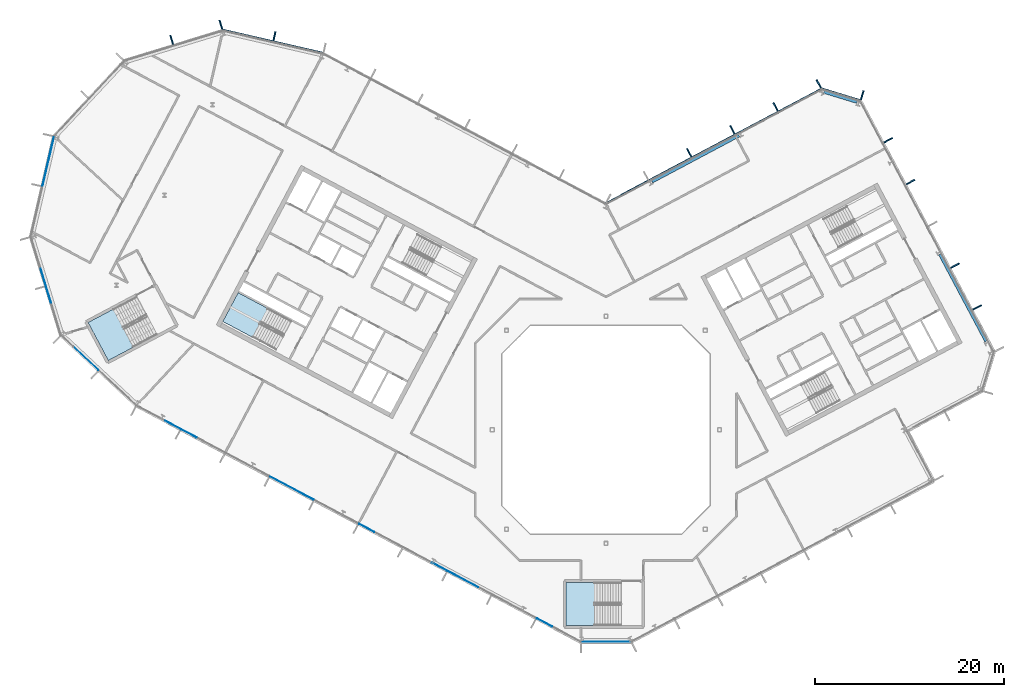
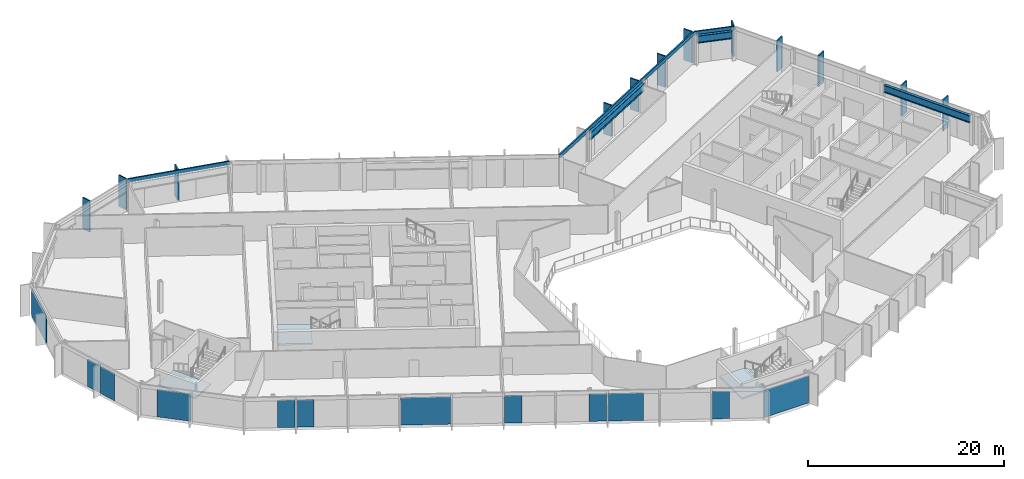
# One storey, part 10 of 26: 15 members, 12 plates, 3 beams, 3 slabs, 13 elements without a shape of their own.
"""IFC4 building model written with IfcOpenShell, lengths in metres."""

from ifc_helpers import new_model, si_unit, direction, frame, origin, origin_2d, place, context, subcontext, project, spatial, polyline, rectangle, i_section, outline, extrude, material, layer, layer_set, material_profile, profile_set, type_object, element, aggregate, save


model = new_model("IFC4")

# Units and contexts
model_context = context("Model", 3, precision=1e-05, world=origin(), true_north=direction((0.0, 1.0)))
body_context = subcontext(model_context, "Body", "Model", "MODEL_VIEW")
ifc_project = project(units=[si_unit("LENGTHUNIT", "METRE"), si_unit("AREAUNIT", "SQUARE_METRE"), si_unit("VOLUMEUNIT", "CUBIC_METRE"), si_unit("PLANEANGLEUNIT", "RADIAN"), si_unit("MASSUNIT", "GRAM", prefix="KILO")], contexts=[model_context])

# Site, building, storey
site_placement = place(None, origin())
site = spatial("IfcSite", under=ifc_project, at=site_placement, CompositionType="ELEMENT")
building_placement = place(site_placement, origin())
building = spatial("IfcBuilding", under=site, at=building_placement, Name="Cormorant Relay Tower", CompositionType="ELEMENT")
storey_placement = place(building_placement, frame((0.0, 0.0, 300.89990234375)))
storey = spatial("IfcBuildingStorey", under=building, at=storey_placement, Name="L68", CompositionType="ELEMENT", Elevation=300.89990234375)

# Curtain wall, members
ifc_material_1 = material(Name="Aluminium 6063-T6 anodised bronze", Category="aluminium")
ifc_layer_1 = layer(ifc_material_1, 0.199951171875)
ifc_layer_set_1 = layer_set([ifc_layer_1], Name="CW1 unitised bronze curtain wall with vertical fins")
curtain_wall_type = type_object("IfcCurtainWallType", Name="CW1 unitised bronze curtain wall with vertical fins", PredefinedType="NOTDEFINED", material=ifc_layer_set_1)
curtain_wall_1_placement = place(storey_placement, origin())
curtain_wall_1 = element("IfcCurtainWall", 1, at=curtain_wall_1_placement, inside=storey, type_object=curtain_wall_type, Name="CW1 curtain wall 6", PredefinedType="NOTDEFINED")
ifc_material_2 = material(Name="Aluminium 6063-T6 anodised bronze", Category="aluminium")
ifc_material_profile_1 = material_profile(ifc_material_2, rectangle(XDim=0.14990234375, YDim=1.0, at=origin_2d()), Name="AL 150x1000")
ifc_profile_set_1 = profile_set([ifc_material_profile_1], Name="Aluminium 6063-T6 anodised bronze")
member_type_1 = type_object("IfcMemberType", Name="CW1 bronze fin mullion 150 x 1000", PredefinedType="MULLION", material=ifc_profile_set_1)
member_1_placement = place(storey_placement, frame((39.222412109375, 12.927001953125, 0.0), z_axis=(0.0, 0.0, 1.0), x_axis=(-0.469471562786, 0.882947592859, 0.0)))
member_1 = element("IfcMember", 2, at=member_1_placement, type_object=member_type_1, Name="CW1 fin 6.2", PredefinedType="MULLION", context=body_context, shape_type="SweptSolid", body=[
    extrude(rectangle(XDim=0.14990234375, YDim=1.0, at=origin_2d()), origin(), (0.0, 0.0, 1.0), 3.900146484375),
])
member_2_placement = place(storey_placement, frame((36.875, 17.341552734375, 0.0), z_axis=(0.0, 0.0, 1.0), x_axis=(-0.469471562786, 0.882947592859, 0.0)))
member_2 = element("IfcMember", 3, at=member_2_placement, type_object=member_type_1, Name="CW1 fin 6.3", PredefinedType="MULLION", context=body_context, shape_type="SweptSolid", body=[
    extrude(rectangle(XDim=0.14990234375, YDim=1.0, at=origin_2d()), origin(), (0.0, 0.0, 1.0), 3.900146484375),
])
member_3_placement = place(storey_placement, frame((32.18017578125, 26.171142578125, 0.0), z_axis=(0.0, 0.0, 1.0), x_axis=(-0.469471562786, 0.882947592859, 0.0)))
member_3 = element("IfcMember", 4, at=member_3_placement, type_object=member_type_1, Name="CW1 fin 6.5", PredefinedType="MULLION", context=body_context, shape_type="SweptSolid", body=[
    extrude(rectangle(XDim=0.14990234375, YDim=1.0, at=origin_2d()), origin(), (0.0, 0.0, 1.0), 3.900146484375),
])
member_4_placement = place(storey_placement, frame((29.832763671875, 30.585693359375, 0.0), z_axis=(0.0, 0.0, 1.0), x_axis=(-0.469471562786, 0.882947592859, 0.0)))
member_4 = element("IfcMember", 5, at=member_4_placement, type_object=member_type_1, Name="CW1 fin 6.6", PredefinedType="MULLION", context=body_context, shape_type="SweptSolid", body=[
    extrude(rectangle(XDim=0.14990234375, YDim=1.0, at=origin_2d()), origin(), (0.0, 0.0, 1.0), 3.900146484375),
])
aggregate(curtain_wall_1, [member_1, member_2, member_3, member_4])

# Curtain wall, member
curtain_wall_2_placement = place(storey_placement, origin())
curtain_wall_2 = element("IfcCurtainWall", 6, at=curtain_wall_2_placement, inside=storey, type_object=curtain_wall_type, Name="CW1 curtain wall 7", PredefinedType="NOTDEFINED")
member_5_placement = place(storey_placement, frame((27.072021484375, 35.34130859375, 0.0), z_axis=(0.0, 0.0, 1.0), x_axis=(-0.956304755963, 0.292371704723, 0.0)))
member_5 = element("IfcMember", 7, at=member_5_placement, type_object=member_type_1, Name="CW1 fin 7.1", PredefinedType="MULLION", context=body_context, shape_type="SweptSolid", body=[
    extrude(rectangle(XDim=0.14990234375, YDim=1.0, at=origin_2d()), origin(), (0.0, 0.0, 1.0), 3.900146484375),
])

# Curtain wall, members
curtain_wall_3_placement = place(storey_placement, origin())
curtain_wall_3 = element("IfcCurtainWall", 8, at=curtain_wall_3_placement, inside=storey, type_object=curtain_wall_type, Name="CW1 curtain wall 8", PredefinedType="NOTDEFINED")
member_6_placement = place(storey_placement, frame((22.4814453125, 36.530517578125, 0.0), z_axis=(0.0, 0.0, 1.0), x_axis=(-0.882947592859, -0.469471562786, 0.0)))
member_6 = element("IfcMember", 9, at=member_6_placement, type_object=member_type_1, Name="CW1 fin 8.1", PredefinedType="MULLION", context=body_context, shape_type="SweptSolid", body=[
    extrude(rectangle(XDim=0.14990234375, YDim=1.0, at=origin_2d()), origin(), (0.0, 0.0, 1.0), 3.900146484375),
])
member_7_placement = place(storey_placement, frame((17.91943359375, 34.104736328125, 0.0), z_axis=(0.0, 0.0, 1.0), x_axis=(-0.882947592859, -0.469471562786, 0.0)))
member_7 = element("IfcMember", 10, at=member_7_placement, type_object=member_type_1, Name="CW1 fin 8.2", PredefinedType="MULLION", context=body_context, shape_type="SweptSolid", body=[
    extrude(rectangle(XDim=0.14990234375, YDim=1.0, at=origin_2d()), origin(), (0.0, 0.0, 1.0), 3.900146484375),
])
member_8_placement = place(storey_placement, frame((13.357421875, 31.67919921875, 0.0), z_axis=(0.0, 0.0, 1.0), x_axis=(-0.882947592859, -0.469471562786, 0.0)))
member_8 = element("IfcMember", 11, at=member_8_placement, type_object=member_type_1, Name="CW1 fin 8.3", PredefinedType="MULLION", context=body_context, shape_type="SweptSolid", body=[
    extrude(rectangle(XDim=0.14990234375, YDim=1.0, at=origin_2d()), origin(), (0.0, 0.0, 1.0), 3.900146484375),
])
member_9_placement = place(storey_placement, frame((8.79541015625, 29.25341796875, 0.0), z_axis=(0.0, 0.0, 1.0), x_axis=(-0.882947592859, -0.469471562786, 0.0)))
member_9 = element("IfcMember", 12, at=member_9_placement, type_object=member_type_1, Name="CW1 fin 8.4", PredefinedType="MULLION", context=body_context, shape_type="SweptSolid", body=[
    extrude(rectangle(XDim=0.14990234375, YDim=1.0, at=origin_2d()), origin(), (0.0, 0.0, 1.0), 3.900146484375),
])

# Curtain wall, member
curtain_wall_4_placement = place(storey_placement, origin())
curtain_wall_4 = element("IfcCurtainWall", 13, at=curtain_wall_4_placement, inside=storey, type_object=curtain_wall_type, Name="CW1 curtain wall 10", PredefinedType="NOTDEFINED")
member_10_placement = place(storey_placement, frame((-35.01220703125, 41.57275390625, 0.0), z_axis=(0.0, 0.0, 1.0), x_axis=(-0.974370064785, 0.224951054344, 0.0)))
member_10 = element("IfcMember", 14, at=member_10_placement, type_object=member_type_1, Name="CW1 fin 10.2", PredefinedType="MULLION", context=body_context, shape_type="SweptSolid", body=[
    extrude(rectangle(XDim=0.14990234375, YDim=1.0, at=origin_2d()), origin(), (0.0, 0.0, 1.0), 3.900146484375),
])

# Curtain wall, members
curtain_wall_5_placement = place(storey_placement, origin())
curtain_wall_5 = element("IfcCurtainWall", 15, at=curtain_wall_5_placement, inside=storey, type_object=curtain_wall_type, Name="CW1 curtain wall 11", PredefinedType="NOTDEFINED")
member_11_placement = place(storey_placement, frame((-40.670166015625, 42.78271484375, 0.0), z_axis=(0.0, 0.0, 1.0), x_axis=(-0.956304755963, -0.292371704723, 0.0)))
member_11 = element("IfcMember", 16, at=member_11_placement, type_object=member_type_1, Name="CW1 fin 11.1", PredefinedType="MULLION", context=body_context, shape_type="SweptSolid", body=[
    extrude(rectangle(XDim=0.14990234375, YDim=1.0, at=origin_2d()), origin(), (0.0, 0.0, 1.0), 3.900146484375),
])
member_12_placement = place(storey_placement, frame((-45.867919921875, 41.193603515625, 0.0), z_axis=(0.0, 0.0, 1.0), x_axis=(-0.956304755963, -0.292371704723, 0.0)))
member_12 = element("IfcMember", 17, at=member_12_placement, type_object=member_type_1, Name="CW1 fin 11.2", PredefinedType="MULLION", context=body_context, shape_type="SweptSolid", body=[
    extrude(rectangle(XDim=0.14990234375, YDim=1.0, at=origin_2d()), origin(), (0.0, 0.0, 1.0), 3.900146484375),
])
aggregate(curtain_wall_5, [member_11, member_12])

# Member
ifc_material_3 = material(Name="Aluminium 6063-T6 anodised bronze", Category="aluminium")
ifc_material_profile_2 = material_profile(ifc_material_3, rectangle(XDim=0.159912109375, YDim=0.449951171875, at=origin_2d()), Name="AL 160x450")
ifc_profile_set_2 = profile_set([ifc_material_profile_2], Name="Aluminium 6063-T6 anodised bronze")
member_type_2 = type_object("IfcMemberType", Name="CW1 bronze transom 160 x 450", PredefinedType="USERDEFINED", material=ifc_profile_set_2)
member_13_placement = place(storey_placement, frame((26.902587890625, 34.78662109375, 3.675048828125), z_axis=(-0.956303761594, 0.292374957137, 0.0), x_axis=(-0.292374957137, -0.956303761594, 0.0)))
member_13 = element("IfcMember", 18, at=member_13_placement, type_object=member_type_2, Name="CW1 transom 7", ObjectType="TRANSOM", PredefinedType="USERDEFINED", context=body_context, shape_type="SweptSolid", body=[
    extrude(rectangle(XDim=0.159912109375, YDim=0.449951171875, at=origin_2d()), origin(), (0.0, 0.0, 1.0), 4.24267578125),
])

aggregate(curtain_wall_2, [member_5, member_13])

member_14_placement = place(storey_placement, frame((22.75390625, 36.018310546875, 3.675048828125), z_axis=(-0.882948156597, -0.469470502547, 0.0), x_axis=(0.469470502547, -0.882948156597, 0.0)))
member_14 = element("IfcMember", 19, at=member_14_placement, type_object=member_type_2, Name="CW1 transom 8", ObjectType="TRANSOM", PredefinedType="USERDEFINED", context=body_context, shape_type="SweptSolid", body=[
    extrude(rectangle(XDim=0.159912109375, YDim=0.449951171875, at=origin_2d()), origin(), (0.0, 0.0, 1.0), 25.834228515625),
])

aggregate(curtain_wall_3, [member_6, member_7, member_8, member_9, member_14])

member_15_placement = place(storey_placement, frame((-29.8466796875, 39.784912109375, 3.675048828125), z_axis=(-0.974365070969, 0.224972683844, 0.0), x_axis=(-0.224972683844, -0.974365070969, 0.0)))
member_15 = element("IfcMember", 20, at=member_15_placement, type_object=member_type_2, Name="CW1 transom 10", ObjectType="TRANSOM", PredefinedType="USERDEFINED", context=body_context, shape_type="SweptSolid", body=[
    extrude(rectangle(XDim=0.159912109375, YDim=0.449951171875, at=origin_2d()), origin(), (0.0, 0.0, 1.0), 10.870361328125),
])

aggregate(curtain_wall_4, [member_10, member_15])

# Beams
ifc_material_4 = material(Name="Steel ASTM A992 (Fy 345 MPa)", Category="steel")
ifc_material_profile_3 = material_profile(ifc_material_4, i_section(OverallWidth=0.307373046875, OverallDepth=0.927001953125, WebThickness=0.019287109375, FlangeThickness=0.031982421875, FilletRadius=0.01904296875, at=origin_2d()), Name="W920x289")
ifc_profile_set_3 = profile_set([ifc_material_profile_3], Name="Steel ASTM A992 (Fy 345 MPa)")
beam_type = type_object("IfcBeamType", Name="Spandrel W920x289", PredefinedType="SPANDREL", material=ifc_profile_set_3)
beam_1_placement = place(storey_placement, frame((40.1591796875, 9.3466796875, 3.076416015625), z_axis=(-0.469474391681, 0.882946088703, 0.0), x_axis=(-0.882946088703, -0.469474391681, 0.0)))
element("IfcBeam", 21, at=beam_1_placement, inside=storey, type_object=beam_type, Name="Spandrel beam L68-006", PredefinedType="SPANDREL", context=body_context, shape_type="SweptSolid", body=[
    extrude(i_section(OverallWidth=0.307373046875, OverallDepth=0.927001953125, WebThickness=0.019287109375, FlangeThickness=0.031982421875, FilletRadius=0.01904296875, at=origin_2d()), origin(), (0.0, 0.0, 1.0), 10.401611328125),
])
beam_2_placement = place(storey_placement, frame((26.512451171875, 34.619873046875, 3.076416015625), z_axis=(-0.956313678807, 0.292342517821, 0.0), x_axis=(-0.292342517821, -0.956313678807, 0.0)))
element("IfcBeam", 22, at=beam_2_placement, inside=storey, type_object=beam_type, Name="Spandrel beam L68-007", PredefinedType="SPANDREL", context=body_context, shape_type="SweptSolid", body=[
    extrude(i_section(OverallWidth=0.307373046875, OverallDepth=0.927001953125, WebThickness=0.019287109375, FlangeThickness=0.031982421875, FilletRadius=0.01904296875, at=origin_2d()), origin(), (0.0, 0.0, 1.0), 3.65185546875),
])
beam_3_placement = place(storey_placement, frame((14.05322265625, 31.082275390625, 3.076416015625), z_axis=(-0.882950644937, -0.469465822617, 0.0), x_axis=(0.469465822617, -0.882950644937, 0.0)))
element("IfcBeam", 23, at=beam_3_placement, inside=storey, type_object=beam_type, Name="Spandrel beam L68-008", PredefinedType="SPANDREL", context=body_context, shape_type="SweptSolid", body=[
    extrude(i_section(OverallWidth=0.307373046875, OverallDepth=0.927001953125, WebThickness=0.019287109375, FlangeThickness=0.031982421875, FilletRadius=0.01904296875, at=origin_2d()), origin(), (0.0, 0.0, 1.0), 10.4013671875),
])

# Curtain wall, plates
curtain_wall_6_placement = place(storey_placement, origin())
curtain_wall_6 = element("IfcCurtainWall", 24, at=curtain_wall_6_placement, inside=storey, type_object=curtain_wall_type, Name="CW1 curtain wall 14", PredefinedType="NOTDEFINED")
ifc_material_5 = material(Name="Tinted laminated glass", Category="glass")
ifc_layer_2 = layer(ifc_material_5, 0.0400390625)
ifc_layer_set_2 = layer_set([ifc_layer_2], Name="CW1 tinted vision panel 1800 module")
plate_type_1 = type_object("IfcPlateType", Name="CW1 tinted vision panel 1800 module", PredefinedType="CURTAIN_PANEL", material=ifc_layer_set_2)
plate_1_placement = place(storey_placement, frame((-59.434814453125, 16.122314453125, 0.0), z_axis=(0.0, 0.0, 1.0), x_axis=(0.292371704723, -0.956304755963, 0.0)))
plate_1 = element("IfcPlate", 25, at=plate_1_placement, type_object=plate_type_1, Name="CW1 panel V01", PredefinedType="CURTAIN_PANEL", context=body_context, shape_type="SweptSolid", body=[
    extrude(rectangle(XDim=1.800048828125, YDim=0.0400390625, at=origin_2d()), origin(), (0.0, 0.0, 1.0), 3.449951171875),
])
plate_2_placement = place(storey_placement, frame((-58.86474609375, 14.25732421875, 0.0), z_axis=(0.0, 0.0, 1.0), x_axis=(0.292371704723, -0.956304755963, 0.0)))
plate_2 = element("IfcPlate", 26, at=plate_2_placement, type_object=plate_type_1, Name="CW1 panel V02", PredefinedType="CURTAIN_PANEL", context=body_context, shape_type="SweptSolid", body=[
    extrude(rectangle(XDim=1.800048828125, YDim=0.0400390625, at=origin_2d()), origin(), (0.0, 0.0, 1.0), 3.449951171875),
])
aggregate(curtain_wall_6, [plate_1, plate_2])

curtain_wall_7_placement = place(storey_placement, origin())
curtain_wall_7 = element("IfcCurtainWall", 27, at=curtain_wall_7_placement, inside=storey, type_object=curtain_wall_type, Name="CW1 curtain wall 16", PredefinedType="NOTDEFINED")
plate_3_placement = place(storey_placement, frame((-45.767578125, 0.5283203125, 0.0), z_axis=(0.0, 0.0, 1.0), x_axis=(0.882947592859, -0.469471562786, 0.0)))
plate_3 = element("IfcPlate", 28, at=plate_3_placement, type_object=plate_type_1, Name="CW1 panel V01", PredefinedType="CURTAIN_PANEL", context=body_context, shape_type="SweptSolid", body=[
    extrude(rectangle(XDim=1.800048828125, YDim=0.0400390625, at=origin_2d()), origin(), (0.0, 0.0, 1.0), 3.449951171875),
])
plate_4_placement = place(storey_placement, frame((-44.0458984375, -0.38720703125, 0.0), z_axis=(0.0, 0.0, 1.0), x_axis=(0.882947592859, -0.469471562786, 0.0)))
plate_4 = element("IfcPlate", 29, at=plate_4_placement, type_object=plate_type_1, Name="CW1 panel V02", PredefinedType="CURTAIN_PANEL", context=body_context, shape_type="SweptSolid", body=[
    extrude(rectangle(XDim=1.800048828125, YDim=0.0400390625, at=origin_2d()), origin(), (0.0, 0.0, 1.0), 3.449951171875),
])
plate_5_placement = place(storey_placement, frame((-25.268798828125, -10.37109375, 0.0), z_axis=(0.0, 0.0, 1.0), x_axis=(0.882947592859, -0.469471562786, 0.0)))
plate_5 = element("IfcPlate", 30, at=plate_5_placement, type_object=plate_type_1, Name="CW1 panel V06", PredefinedType="CURTAIN_PANEL", context=body_context, shape_type="SweptSolid", body=[
    extrude(rectangle(XDim=1.800048828125, YDim=0.0400390625, at=origin_2d()), origin(), (0.0, 0.0, 1.0), 3.449951171875),
])
plate_6_placement = place(storey_placement, frame((-17.601806640625, -14.447509765625, 0.0), z_axis=(0.0, 0.0, 1.0), x_axis=(0.882947592859, -0.469471562786, 0.0)))
plate_6 = element("IfcPlate", 31, at=plate_6_placement, type_object=plate_type_1, Name="CW1 panel V08", PredefinedType="CURTAIN_PANEL", context=body_context, shape_type="SweptSolid", body=[
    extrude(rectangle(XDim=1.800048828125, YDim=0.0400390625, at=origin_2d()), origin(), (0.0, 0.0, 1.0), 3.449951171875),
])
plate_7_placement = place(storey_placement, frame((-6.49169921875, -20.35498046875, 0.0), z_axis=(0.0, 0.0, 1.0), x_axis=(0.882947592859, -0.469471562786, 0.0)))
plate_7 = element("IfcPlate", 32, at=plate_7_placement, type_object=plate_type_1, Name="CW1 panel V11", PredefinedType="CURTAIN_PANEL", context=body_context, shape_type="SweptSolid", body=[
    extrude(rectangle(XDim=1.800048828125, YDim=0.0400390625, at=origin_2d()), origin(), (0.0, 0.0, 1.0), 3.449951171875),
])

# Curtain wall, plate
curtain_wall_8_placement = place(storey_placement, origin())
curtain_wall_8 = element("IfcCurtainWall", 33, at=curtain_wall_8_placement, inside=storey, type_object=curtain_wall_type, Name="CW1 curtain wall 15", PredefinedType="NOTDEFINED")
ifc_material_6 = material(Name="Tinted laminated glass", Category="glass")
ifc_layer_3 = layer(ifc_material_6, 0.0400390625)
ifc_layer_set_3 = layer_set([ifc_layer_3], Name="CW1 tinted vision panel 3600 module")
plate_type_2 = type_object("IfcPlateType", Name="CW1 tinted vision panel 3600 module", PredefinedType="CURTAIN_PANEL", material=ifc_layer_set_3)
plate_8_placement = place(storey_placement, frame((-54.951416015625, 7.55517578125, 0.0), z_axis=(0.0, 0.0, 1.0), x_axis=(0.731353701619, -0.681998360062, 0.0)))
plate_8 = element("IfcPlate", 34, at=plate_8_placement, type_object=plate_type_2, Name="CW1 panel V01", PredefinedType="CURTAIN_PANEL", context=body_context, shape_type="SweptSolid", body=[
    extrude(rectangle(XDim=3.60009765625, YDim=0.0400390625, at=origin_2d()), origin(), (0.0, 0.0, 1.0), 3.449951171875),
])
aggregate(curtain_wall_8, [plate_8])

# Plate
plate_9_placement = place(storey_placement, frame((-15.08544921875, -15.785400390625, 0.0), z_axis=(0.0, 0.0, 1.0), x_axis=(0.882947592859, -0.469471562786, 0.0)))
plate_9 = element("IfcPlate", 35, at=plate_9_placement, type_object=plate_type_2, Name="CW1 panel V09", PredefinedType="CURTAIN_PANEL", context=body_context, shape_type="SweptSolid", body=[
    extrude(rectangle(XDim=3.60009765625, YDim=0.0400390625, at=origin_2d()), origin(), (0.0, 0.0, 1.0), 3.449951171875),
])

# Curtain wall, plate
curtain_wall_9_placement = place(storey_placement, origin())
curtain_wall_9 = element("IfcCurtainWall", 36, at=curtain_wall_9_placement, inside=storey, type_object=curtain_wall_type, Name="CW1 curtain wall 1", PredefinedType="NOTDEFINED")
ifc_material_7 = material(Name="Tinted laminated glass", Category="glass")
ifc_layer_4 = layer(ifc_material_7, 0.0400390625)
ifc_layer_set_4 = layer_set([ifc_layer_4], Name="CW1 tinted vision panel 5400 module")
plate_type_3 = type_object("IfcPlateType", Name="CW1 tinted vision panel 5400 module", PredefinedType="CURTAIN_PANEL", material=ifc_layer_set_4)
plate_10_placement = place(storey_placement, frame((0.03759765625, -22.3955078125, 0.0), z_axis=(0.0, 0.0, 1.0), x_axis=(1.0, 0.0, 0.0)))
plate_10 = element("IfcPlate", 37, at=plate_10_placement, type_object=plate_type_3, Name="CW1 panel V00", PredefinedType="CURTAIN_PANEL", context=body_context, shape_type="SweptSolid", body=[
    extrude(rectangle(XDim=5.22265625, YDim=0.0400390625, at=origin_2d()), origin(), (0.0, 0.0, 1.0), 3.449951171875),
])
aggregate(curtain_wall_9, [plate_10])

curtain_wall_10_placement = place(storey_placement, origin())
curtain_wall_10 = element("IfcCurtainWall", 38, at=curtain_wall_10_placement, inside=storey, type_object=curtain_wall_type, Name="CW1 curtain wall 13", PredefinedType="NOTDEFINED")
plate_11_placement = place(storey_placement, frame((-58.905517578125, 28.341796875, 0.0), z_axis=(0.0, 0.0, 1.0), x_axis=(-0.224951054344, -0.974370064785, 0.0)))
plate_11 = element("IfcPlate", 39, at=plate_11_placement, type_object=plate_type_3, Name="CW1 panel V00", PredefinedType="CURTAIN_PANEL", context=body_context, shape_type="SweptSolid", body=[
    extrude(rectangle(XDim=5.28515625, YDim=0.0400390625, at=origin_2d()), origin(), (0.0, 0.0, 1.0), 3.449951171875),
])
aggregate(curtain_wall_10, [plate_11])

# Plate
plate_12_placement = place(storey_placement, frame((-33.1708984375, -6.169189453125, 0.0), z_axis=(0.0, 0.0, 1.0), x_axis=(0.882947592859, -0.469471562786, 0.0)))
plate_12 = element("IfcPlate", 40, at=plate_12_placement, type_object=plate_type_3, Name="CW1 panel V04", PredefinedType="CURTAIN_PANEL", context=body_context, shape_type="SweptSolid", body=[
    extrude(rectangle(XDim=5.16650390625, YDim=0.0400390625, at=origin_2d()), origin(), (0.0, 0.0, 1.0), 3.449951171875),
])

aggregate(curtain_wall_7, [plate_3, plate_4, plate_12, plate_5, plate_6, plate_9, plate_7])

# Stair, slab
ifc_material_8 = material(Name="Concrete 40 MPa", Category="concrete")
stair_type_1 = type_object("IfcStairType", Name="Exit stair 1500", PredefinedType="HALF_TURN_STAIR", material=ifc_material_8)
stair_1_placement = place(storey_placement, origin())
stair_1 = element("IfcStair", 41, at=stair_1_placement, inside=storey, type_object=stair_type_1, Name="L68 Stair", PredefinedType="HALF_TURN_STAIR")
ifc_material_9 = material(Name="Concrete 40 MPa", Category="concrete")
ifc_layer_5 = layer(ifc_material_9, 0.199951171875)
ifc_layer_set_5 = layer_set([ifc_layer_5], Name="Exit stair landing 200")
slab_type = type_object("IfcSlabType", Name="Exit stair landing 200", PredefinedType="LANDING", material=ifc_layer_set_5)
slab_1_placement = place(storey_placement, frame((0.0, 0.0, 1.75)))
slab_1 = element("IfcSlab", 42, at=slab_1_placement, type_object=slab_type, Name="A2 landing 1", PredefinedType="LANDING", context=body_context, shape_type="SweptSolid", body=[
    extrude(outline(polyline([(-35.71337890625, 12.816650390625), (-38.84765625, 14.483154296875), (-40.467529296875, 11.43701171875), (-37.3330078125, 9.7705078125), (-35.71337890625, 12.816650390625)])), origin(), (0.0, 0.0, 1.0), 0.2001953125),
])
aggregate(stair_1, [slab_1])

ifc_material_10 = material(Name="Concrete 40 MPa", Category="concrete")
stair_type_2 = type_object("IfcStairType", Name="Remote exit stair 2200", PredefinedType="HALF_TURN_STAIR", material=ifc_material_10)
stair_2_placement = place(storey_placement, origin())
stair_2 = element("IfcStair", 43, at=stair_2_placement, inside=storey, type_object=stair_type_2, Name="L68 Stair", PredefinedType="HALF_TURN_STAIR")
slab_2_placement = place(storey_placement, frame((0.0, 0.0, 1.75)))
slab_2 = element("IfcSlab", 44, at=slab_2_placement, type_object=slab_type, Name="RK1 landing 1", PredefinedType="LANDING", context=body_context, shape_type="SweptSolid", body=[
    extrude(outline(polyline([(-1.199951171875, -16.125), (-4.199951171875, -16.125), (-4.199951171875, -20.675048828125), (-1.199951171875, -20.675048828125), (-1.199951171875, -16.125)])), origin(), (0.0, 0.0, 1.0), 0.2001953125),
])
aggregate(stair_2, [slab_2])

stair_3_placement = place(storey_placement, origin())
stair_3 = element("IfcStair", 45, at=stair_3_placement, inside=storey, type_object=stair_type_2, Name="L68 Stair", PredefinedType="HALF_TURN_STAIR")
slab_3_placement = place(storey_placement, frame((0.0, 0.0, 1.75)))
slab_3 = element("IfcSlab", 46, at=slab_3_placement, type_object=slab_type, Name="RP1 landing 1", PredefinedType="LANDING", context=body_context, shape_type="SweptSolid", body=[
    extrude(outline(polyline([(-52.051025390625, 12.7392578125), (-54.699951171875, 11.330810546875), (-52.563720703125, 7.3134765625), (-49.914794921875, 8.721923828125), (-52.051025390625, 12.7392578125)])), origin(), (0.0, 0.0, 1.0), 0.2001953125),
])
aggregate(stair_3, [slab_3])

save(model, "model.ifc")
